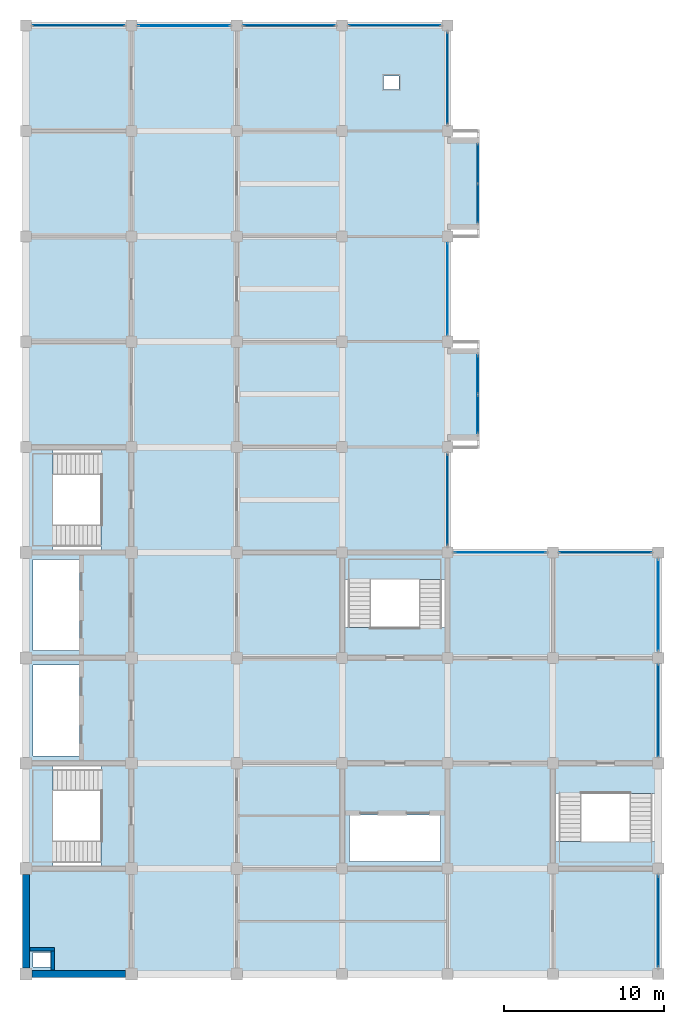
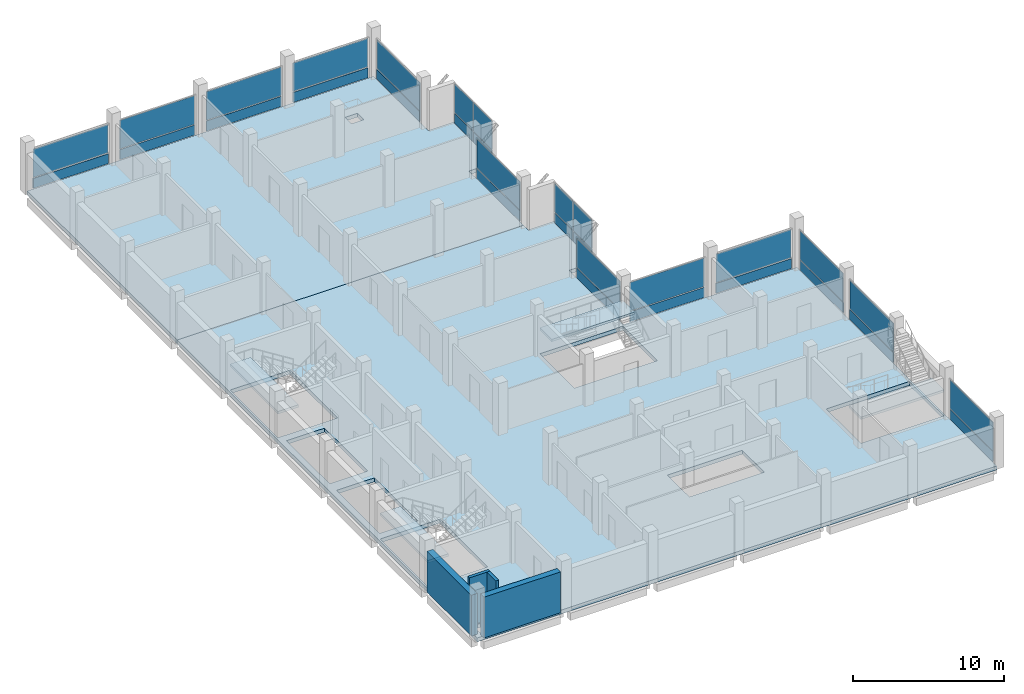
# One storey, part 6 of 10: 32 plates, 6 slabs, 4 walls, 18 elements without a shape of their own.
"""IFC4 building model written with IfcOpenShell, lengths in metres."""

from ifc_helpers import new_model, si_unit, direction, frame, frame_2d, origin, origin_2d, place, context, subcontext, project, spatial, polyline, rectangle, outline, extrude, material, layer, layer_set, type_object, element, aggregate, save


model = new_model("IFC4")

# Units and contexts
model_context = context("Model", 3, precision=1e-05, world=origin(), true_north=direction((0.0, 1.0)))
body_context = subcontext(model_context, "Body", "Model", "MODEL_VIEW")
ifc_project = project(units=[si_unit("LENGTHUNIT", "METRE"), si_unit("AREAUNIT", "SQUARE_METRE"), si_unit("VOLUMEUNIT", "CUBIC_METRE"), si_unit("PLANEANGLEUNIT", "RADIAN"), si_unit("MASSUNIT", "GRAM", prefix="KILO")], contexts=[model_context])

# Site, building, storey
site_placement = place(None, origin())
site = spatial("IfcSite", under=ifc_project, at=site_placement, CompositionType="ELEMENT")
building_placement = place(site_placement, origin())
building = spatial("IfcBuilding", under=site, at=building_placement, Name="Rusizi Kubbe Research Institute", CompositionType="ELEMENT")
storey_placement = place(building_placement, frame((0.0, 0.0, 48.0)))
storey = spatial("IfcBuildingStorey", under=building, at=storey_placement, Name="L11", CompositionType="ELEMENT", Elevation=48.0)

# Curtain wall, plate
ifc_material_1 = material(Name="Thermally Broken Aluminium and Low-E Glazing", Category="aluminium")
curtain_wall_type_1 = type_object("IfcCurtainWallType", Name="CW-12", PredefinedType="NOTDEFINED", material=ifc_material_1)
curtain_wall_1_placement = place(storey_placement, origin())
curtain_wall_1 = element("IfcCurtainWall", 1, at=curtain_wall_1_placement, inside=storey, type_object=curtain_wall_type_1, Name="Unitised Facade Curtain Wall CW-L11-V-04-06", PredefinedType="NOTDEFINED")
ifc_material_2 = material(Name="Double Low-E Solar Control Insulated Glass", Category="glass")
ifc_layer_1 = layer(ifc_material_2, 0.02392578125)
ifc_layer_set_1 = layer_set([ifc_layer_1], Name="Double Low-E Solar Control Insulated Glass")
plate_type_1 = type_object("IfcPlateType", Name="GL-01", PredefinedType="CURTAIN_PANEL", material=ifc_layer_set_1)
plate_1_placement = place(storey_placement, frame((26.39990234375, 42.89990234375, 0.93017578125), z_axis=(0.0, 0.0, 1.0), x_axis=(0.0, 1.0, 0.0)))
plate_1 = element("IfcPlate", 2, at=plate_1_placement, type_object=plate_type_1, Name="CW-12 panel 1.2", PredefinedType="CURTAIN_PANEL", context=body_context, shape_type="SweptSolid", body=[
    extrude(rectangle(XDim=5.719970703125, YDim=0.02392578125, at=origin_2d()), origin(), (0.0, 0.0, 1.0), 2.300048828125),
])

ifc_material_3 = material(Name="Thermally Broken Aluminium and Low-E Glazing", Category="aluminium")
curtain_wall_type_2 = type_object("IfcCurtainWallType", Name="CW-13", PredefinedType="NOTDEFINED", material=ifc_material_3)
curtain_wall_2_placement = place(storey_placement, origin())
curtain_wall_2 = element("IfcCurtainWall", 3, at=curtain_wall_2_placement, inside=storey, type_object=curtain_wall_type_2, Name="Unitised Facade Curtain Wall CW-L11-V-06-03", PredefinedType="NOTDEFINED")
plate_2_placement = place(storey_placement, frame((39.60009765625, 23.10009765625, 0.93017578125), z_axis=(0.0, 0.0, 1.0), x_axis=(0.0, 1.0, 0.0)))
plate_2 = element("IfcPlate", 4, at=plate_2_placement, type_object=plate_type_1, Name="CW-13 panel 1.2", PredefinedType="CURTAIN_PANEL", context=body_context, shape_type="SweptSolid", body=[
    extrude(rectangle(XDim=5.7099609375, YDim=0.02392578125, at=origin_2d()), origin(), (0.0, 0.0, 1.0), 2.300048828125),
])

# Curtain wall, plates
ifc_material_4 = material(Name="Thermally Broken Aluminium and Low-E Glazing", Category="aluminium")
curtain_wall_type_3 = type_object("IfcCurtainWallType", Name="CW-04", PredefinedType="NOTDEFINED", material=ifc_material_4)
curtain_wall_3_placement = place(storey_placement, origin())
curtain_wall_3 = element("IfcCurtainWall", 5, at=curtain_wall_3_placement, inside=storey, type_object=curtain_wall_type_3, Name="Cumba Glazed Curtain Wall CW-CUMBA-L11-121", PredefinedType="NOTDEFINED")
ifc_material_5 = material(Name="Double Low-E Solar Control Insulated Glass", Category="glass")
ifc_layer_2 = layer(ifc_material_5, 0.028076171875)
ifc_layer_set_2 = layer_set([ifc_layer_2], Name="Double Low-E Solar Control Insulated Glass")
plate_type_2 = type_object("IfcPlateType", Name="GL-02", PredefinedType="CURTAIN_PANEL", material=ifc_layer_set_2)
plate_3_placement = place(storey_placement, frame((28.300048828125, 48.25634765625, 0.93017578125), z_axis=(0.0, 0.0, 1.0), x_axis=(0.0, 1.0, 0.0)))
plate_3 = element("IfcPlate", 6, at=plate_3_placement, type_object=plate_type_2, Name="CW-04 panel 1.2", PredefinedType="CURTAIN_PANEL", context=body_context, shape_type="SweptSolid", body=[
    extrude(rectangle(XDim=2.427490234375, YDim=0.028076171875, at=origin_2d()), origin(), (0.0, 0.0, 1.0), 2.300048828125),
])
plate_4_placement = place(storey_placement, frame((28.300048828125, 50.74365234375, 0.93017578125), z_axis=(0.0, 0.0, 1.0), x_axis=(0.0, 1.0, 0.0)))
plate_4 = element("IfcPlate", 7, at=plate_4_placement, type_object=plate_type_2, Name="CW-04 panel 2.2", PredefinedType="CURTAIN_PANEL", context=body_context, shape_type="SweptSolid", body=[
    extrude(rectangle(XDim=2.427490234375, YDim=0.028076171875, at=origin_2d()), origin(), (0.0, 0.0, 1.0), 2.300048828125),
])

# Curtain wall, plate
curtain_wall_4_placement = place(storey_placement, origin())
curtain_wall_4 = element("IfcCurtainWall", 8, at=curtain_wall_4_placement, inside=storey, type_object=curtain_wall_type_2, Name="Unitised Facade Curtain Wall CW-L11-H-03-09", PredefinedType="NOTDEFINED")
ifc_material_6 = material(Name="Double Low-E Solar Control Insulated Glass", Category="glass")
ifc_layer_3 = layer(ifc_material_6, 0.031982421875)
ifc_layer_set_3 = layer_set([ifc_layer_3], Name="Double Low-E Solar Control Insulated Glass")
plate_type_3 = type_object("IfcPlateType", Name="GL-03", PredefinedType="CURTAIN_PANEL", material=ifc_layer_set_3)
plate_5_placement = place(storey_placement, frame((23.10009765625, 59.39990234375, 0.9326171875), z_axis=(0.0, 0.0, 1.0), x_axis=(1.0, 0.0, 0.0)))
plate_5 = element("IfcPlate", 9, at=plate_5_placement, type_object=plate_type_3, Name="CW-13 panel 1.2", PredefinedType="CURTAIN_PANEL", context=body_context, shape_type="SweptSolid", body=[
    extrude(rectangle(XDim=5.7099609375, YDim=0.031982421875, at=origin_2d()), origin(), (0.0, 0.0, 1.0), 2.29248046875),
])

curtain_wall_5_placement = place(storey_placement, origin())
curtain_wall_5 = element("IfcCurtainWall", 10, at=curtain_wall_5_placement, inside=storey, type_object=curtain_wall_type_1, Name="Unitised Facade Curtain Wall CW-L11-H-00-09", PredefinedType="NOTDEFINED")
ifc_material_7 = material(Name="Double Low-E Solar Control Insulated Glass", Category="glass")
ifc_layer_4 = layer(ifc_material_7, 0.035888671875)
ifc_layer_set_4 = layer_set([ifc_layer_4], Name="Double Low-E Solar Control Insulated Glass")
plate_type_4 = type_object("IfcPlateType", Name="GL-04", PredefinedType="CURTAIN_PANEL", material=ifc_layer_set_4)
plate_6_placement = place(storey_placement, frame((3.300048828125, 59.39990234375, 0.93505859375), z_axis=(0.0, 0.0, 1.0), x_axis=(1.0, 0.0, 0.0)))
plate_6 = element("IfcPlate", 11, at=plate_6_placement, type_object=plate_type_4, Name="CW-12 panel 1.2", PredefinedType="CURTAIN_PANEL", context=body_context, shape_type="SweptSolid", body=[
    extrude(rectangle(XDim=5.719970703125, YDim=0.035888671875, at=origin_2d()), origin(), (0.0, 0.0, 1.0), 2.284912109375),
])

curtain_wall_6_placement = place(storey_placement, origin())
curtain_wall_6 = element("IfcCurtainWall", 12, at=curtain_wall_6_placement, inside=storey, type_object=curtain_wall_type_1, Name="Unitised Facade Curtain Wall CW-L11-V-04-08", PredefinedType="NOTDEFINED")
plate_7_placement = place(storey_placement, frame((26.39990234375, 56.10009765625, 0.93505859375), z_axis=(0.0, 0.0, 1.0), x_axis=(0.0, 1.0, 0.0)))
plate_7 = element("IfcPlate", 13, at=plate_7_placement, type_object=plate_type_4, Name="CW-12 panel 1.2", PredefinedType="CURTAIN_PANEL", context=body_context, shape_type="SweptSolid", body=[
    extrude(rectangle(XDim=5.699951171875, YDim=0.035888671875, at=origin_2d()), origin(), (0.0, 0.0, 1.0), 2.284912109375),
])

curtain_wall_7_placement = place(storey_placement, origin())
curtain_wall_7 = element("IfcCurtainWall", 14, at=curtain_wall_7_placement, inside=storey, type_object=curtain_wall_type_2, Name="Unitised Facade Curtain Wall CW-L11-H-01-09", PredefinedType="NOTDEFINED")
ifc_material_8 = material(Name="Double Low-E Solar Control Insulated Glass", Category="glass")
ifc_layer_5 = layer(ifc_material_8, 0.0400390625)
ifc_layer_set_5 = layer_set([ifc_layer_5], Name="Double Low-E Solar Control Insulated Glass")
plate_type_5 = type_object("IfcPlateType", Name="GL-05", PredefinedType="CURTAIN_PANEL", material=ifc_layer_set_5)
plate_8_placement = place(storey_placement, frame((9.89990234375, 59.39990234375, 0.93017578125), z_axis=(0.0, 0.0, 1.0), x_axis=(1.0, 0.0, 0.0)))
plate_8 = element("IfcPlate", 15, at=plate_8_placement, type_object=plate_type_5, Name="CW-13 panel 1.2", PredefinedType="CURTAIN_PANEL", context=body_context, shape_type="SweptSolid", body=[
    extrude(rectangle(XDim=5.7099609375, YDim=0.0400390625, at=origin_2d()), origin(), (0.0, 0.0, 1.0), 2.300048828125),
])

curtain_wall_8_placement = place(storey_placement, origin())
curtain_wall_8 = element("IfcCurtainWall", 16, at=curtain_wall_8_placement, inside=storey, type_object=curtain_wall_type_2, Name="Unitised Facade Curtain Wall CW-L11-H-04-04", PredefinedType="NOTDEFINED")
plate_9_placement = place(storey_placement, frame((29.699951171875, 26.39990234375, 0.93017578125), z_axis=(0.0, 0.0, 1.0), x_axis=(1.0, 0.0, 0.0)))
plate_9 = element("IfcPlate", 17, at=plate_9_placement, type_object=plate_type_5, Name="CW-13 panel 1.2", PredefinedType="CURTAIN_PANEL", context=body_context, shape_type="SweptSolid", body=[
    extrude(rectangle(XDim=5.68994140625, YDim=0.0400390625, at=origin_2d()), origin(), (0.0, 0.0, 1.0), 2.300048828125),
])

curtain_wall_9_placement = place(storey_placement, origin())
curtain_wall_9 = element("IfcCurtainWall", 18, at=curtain_wall_9_placement, inside=storey, type_object=curtain_wall_type_1, Name="Unitised Facade Curtain Wall CW-L11-H-02-09", PredefinedType="NOTDEFINED")
ifc_material_9 = material(Name="Double Low-E Solar Control Insulated Glass", Category="glass")
ifc_layer_6 = layer(ifc_material_9, 0.0439453125)
ifc_layer_set_6 = layer_set([ifc_layer_6], Name="Double Low-E Solar Control Insulated Glass")
plate_type_6 = type_object("IfcPlateType", Name="GL-06", PredefinedType="CURTAIN_PANEL", material=ifc_layer_set_6)
plate_10_placement = place(storey_placement, frame((16.5, 59.39990234375, 0.93017578125), z_axis=(0.0, 0.0, 1.0), x_axis=(1.0, 0.0, 0.0)))
plate_10 = element("IfcPlate", 19, at=plate_10_placement, type_object=plate_type_6, Name="CW-12 panel 1.2", PredefinedType="CURTAIN_PANEL", context=body_context, shape_type="SweptSolid", body=[
    extrude(rectangle(XDim=5.699951171875, YDim=0.0439453125, at=origin_2d()), origin(), (0.0, 0.0, 1.0), 2.300048828125),
])

curtain_wall_10_placement = place(storey_placement, origin())
curtain_wall_10 = element("IfcCurtainWall", 20, at=curtain_wall_10_placement, inside=storey, type_object=curtain_wall_type_1, Name="Unitised Facade Curtain Wall CW-L11-V-06-00", PredefinedType="NOTDEFINED")
plate_11_placement = place(storey_placement, frame((39.60009765625, 3.300048828125, 0.93017578125), z_axis=(0.0, 0.0, 1.0), x_axis=(0.0, 1.0, 0.0)))
plate_11 = element("IfcPlate", 21, at=plate_11_placement, type_object=plate_type_6, Name="CW-12 panel 1.2", PredefinedType="CURTAIN_PANEL", context=body_context, shape_type="SweptSolid", body=[
    extrude(rectangle(XDim=5.679931640625, YDim=0.0439453125, at=origin_2d()), origin(), (0.0, 0.0, 1.0), 2.300048828125),
])

curtain_wall_11_placement = place(storey_placement, origin())
curtain_wall_11 = element("IfcCurtainWall", 22, at=curtain_wall_11_placement, inside=storey, type_object=curtain_wall_type_2, Name="Unitised Facade Curtain Wall CW-L11-V-04-04", PredefinedType="NOTDEFINED")
ifc_material_10 = material(Name="Double Low-E Solar Control Insulated Glass", Category="glass")
ifc_layer_7 = layer(ifc_material_10, 0.048095703125)
ifc_layer_set_7 = layer_set([ifc_layer_7], Name="Double Low-E Solar Control Insulated Glass")
plate_type_7 = type_object("IfcPlateType", Name="GL-07", PredefinedType="CURTAIN_PANEL", material=ifc_layer_set_7)
plate_12_placement = place(storey_placement, frame((26.39990234375, 29.699951171875, 0.9326171875), z_axis=(0.0, 0.0, 1.0), x_axis=(0.0, 1.0, 0.0)))
plate_12 = element("IfcPlate", 23, at=plate_12_placement, type_object=plate_type_7, Name="CW-13 panel 1.2", PredefinedType="CURTAIN_PANEL", context=body_context, shape_type="SweptSolid", body=[
    extrude(rectangle(XDim=5.68994140625, YDim=0.048095703125, at=origin_2d()), origin(), (0.0, 0.0, 1.0), 2.29248046875),
])

curtain_wall_12_placement = place(storey_placement, origin())
curtain_wall_12 = element("IfcCurtainWall", 24, at=curtain_wall_12_placement, inside=storey, type_object=curtain_wall_type_2, Name="Unitised Facade Curtain Wall CW-L11-V-06-02", PredefinedType="NOTDEFINED")
plate_13_placement = place(storey_placement, frame((39.60009765625, 16.5, 0.9326171875), z_axis=(0.0, 0.0, 1.0), x_axis=(0.0, 1.0, 0.0)))
plate_13 = element("IfcPlate", 25, at=plate_13_placement, type_object=plate_type_7, Name="CW-13 panel 1.2", PredefinedType="CURTAIN_PANEL", context=body_context, shape_type="SweptSolid", body=[
    extrude(rectangle(XDim=5.719970703125, YDim=0.048095703125, at=origin_2d()), origin(), (0.0, 0.0, 1.0), 2.29248046875),
])

# Curtain wall, plates
curtain_wall_13_placement = place(storey_placement, origin())
curtain_wall_13 = element("IfcCurtainWall", 26, at=curtain_wall_13_placement, inside=storey, type_object=curtain_wall_type_3, Name="Cumba Glazed Curtain Wall CW-CUMBA-L11-119", PredefinedType="NOTDEFINED")
ifc_material_11 = material(Name="Double Low-E Solar Control Insulated Glass", Category="glass")
ifc_layer_8 = layer(ifc_material_11, 0.052001953125)
ifc_layer_set_8 = layer_set([ifc_layer_8], Name="Double Low-E Solar Control Insulated Glass")
plate_type_8 = type_object("IfcPlateType", Name="GL-08", PredefinedType="CURTAIN_PANEL", material=ifc_layer_set_8)
plate_14_placement = place(storey_placement, frame((28.300048828125, 35.061279296875, 0.93505859375), z_axis=(0.0, 0.0, 1.0), x_axis=(0.0, 1.0, 0.0)))
plate_14 = element("IfcPlate", 27, at=plate_14_placement, type_object=plate_type_8, Name="CW-04 panel 1.2", PredefinedType="CURTAIN_PANEL", context=body_context, shape_type="SweptSolid", body=[
    extrude(rectangle(XDim=2.3974609375, YDim=0.052001953125, at=origin_2d()), origin(), (0.0, 0.0, 1.0), 2.284912109375),
])
plate_15_placement = place(storey_placement, frame((28.300048828125, 37.538818359375, 0.93505859375), z_axis=(0.0, 0.0, 1.0), x_axis=(0.0, 1.0, 0.0)))
plate_15 = element("IfcPlate", 28, at=plate_15_placement, type_object=plate_type_8, Name="CW-04 panel 2.2", PredefinedType="CURTAIN_PANEL", context=body_context, shape_type="SweptSolid", body=[
    extrude(rectangle(XDim=2.3974609375, YDim=0.052001953125, at=origin_2d()), origin(), (0.0, 0.0, 1.0), 2.284912109375),
])

# Curtain wall, plate
curtain_wall_14_placement = place(storey_placement, origin())
curtain_wall_14 = element("IfcCurtainWall", 29, at=curtain_wall_14_placement, inside=storey, type_object=curtain_wall_type_1, Name="Unitised Facade Curtain Wall CW-L11-H-05-04", PredefinedType="NOTDEFINED")
plate_16_placement = place(storey_placement, frame((36.300048828125, 26.39990234375, 0.93505859375), z_axis=(0.0, 0.0, 1.0), x_axis=(1.0, 0.0, 0.0)))
plate_16 = element("IfcPlate", 30, at=plate_16_placement, type_object=plate_type_8, Name="CW-12 panel 1.2", PredefinedType="CURTAIN_PANEL", context=body_context, shape_type="SweptSolid", body=[
    extrude(rectangle(XDim=5.719970703125, YDim=0.052001953125, at=origin_2d()), origin(), (0.0, 0.0, 1.0), 2.284912109375),
])

# Slabs
ifc_material_12 = material(Name="Concrete C40/50", Category="concrete")
ifc_layer_9 = layer(ifc_material_12, 0.31005859375)
ifc_layer_set_9 = layer_set([ifc_layer_9], Name="Concrete C40/50")
slab_type_1 = type_object("IfcSlabType", Name="SL-F310", PredefinedType="FLOOR", material=ifc_layer_set_9)
slab_1_placement = place(storey_placement, frame((0.0, 0.0, -0.31005859375)))
element("IfcSlab", 31, at=slab_1_placement, inside=storey, type_object=slab_type_1, Name="Structural Slab L11 CORE", PredefinedType="FLOOR", context=body_context, shape_type="SweptSolid", body=[
    extrude(outline(polyline([(0.0, 39.60009765625), (6.60009765625, 39.60009765625), (13.199951171875, 39.60009765625), (19.800048828125, 39.60009765625), (26.39990234375, 39.60009765625), (26.39990234375, 39.0), (28.39990234375, 39.0), (28.39990234375, 33.60009765625), (26.39990234375, 33.60009765625), (26.39990234375, 33.0), (26.39990234375, 26.39990234375), (33.0, 26.39990234375), (39.60009765625, 26.39990234375), (39.60009765625, 19.800048828125), (39.60009765625, 13.199951171875), (39.60009765625, 6.60009765625), (39.60009765625, 0.0), (33.0, 0.0), (26.39990234375, 0.0), (19.800048828125, 0.0), (13.199951171875, 0.0), (6.60009765625, 0.0), (0.0, 0.0), (0.0, 6.60009765625), (0.0, 13.199951171875), (0.0, 19.800048828125), (0.0, 26.39990234375), (0.0, 33.0), (0.0, 39.60009765625)]), holes=[polyline([(0.449951171875, 1.35009765625), (0.449951171875, 0.449951171875), (1.550048828125, 0.449951171875), (1.550048828125, 1.35009765625), (0.449951171875, 1.35009765625)]), polyline([(20.25, 9.949951171875), (20.25, 7.050048828125), (25.949951171875, 7.050048828125), (25.949951171875, 9.949951171875), (20.25, 9.949951171875)]), polyline([(33.139892578125, 11.300048828125), (33.139892578125, 6.739990234375), (39.4599609375, 6.739990234375), (39.4599609375, 11.300048828125), (33.139892578125, 11.300048828125)]), polyline([(0.139892578125, 13.06005859375), (0.139892578125, 6.739990234375), (4.699951171875, 6.739990234375), (4.699951171875, 13.06005859375), (0.139892578125, 13.06005859375)]), polyline([(0.449951171875, 19.35009765625), (0.449951171875, 13.64990234375), (3.35009765625, 13.64990234375), (3.35009765625, 19.35009765625), (0.449951171875, 19.35009765625)]), polyline([(0.449951171875, 25.949951171875), (0.449951171875, 20.25), (3.35009765625, 20.25), (3.35009765625, 25.949951171875), (0.449951171875, 25.949951171875)]), polyline([(19.93994140625, 26.260009765625), (19.93994140625, 21.699951171875), (26.260009765625, 21.699951171875), (26.260009765625, 26.260009765625), (19.93994140625, 26.260009765625)]), polyline([(0.139892578125, 32.860107421875), (0.139892578125, 26.5400390625), (4.699951171875, 26.5400390625), (4.699951171875, 32.860107421875), (0.139892578125, 32.860107421875)])]), origin(), (0.0, 0.0, 1.0), 0.31005859375),
])
slab_2_placement = place(storey_placement, frame((0.0, 0.0, -0.31005859375)))
element("IfcSlab", 32, at=slab_2_placement, inside=storey, type_object=slab_type_1, Name="Structural Slab L11 NORTHA", PredefinedType="FLOOR", context=body_context, shape_type="SweptSolid", body=[
    extrude(outline(polyline([(6.60009765625, 59.39990234375), (13.199951171875, 59.39990234375), (19.800048828125, 59.39990234375), (26.39990234375, 59.39990234375), (26.39990234375, 52.800048828125), (26.39990234375, 52.199951171875), (28.39990234375, 52.199951171875), (28.39990234375, 46.800048828125), (26.39990234375, 46.800048828125), (26.39990234375, 46.199951171875), (26.39990234375, 39.60009765625), (19.800048828125, 39.60009765625), (13.199951171875, 39.60009765625), (6.60009765625, 39.60009765625), (0.0, 39.60009765625), (0.0, 46.199951171875), (0.0, 52.800048828125), (0.0, 59.39990234375), (6.60009765625, 59.39990234375)]), holes=[polyline([(23.35009765625, 56.25), (22.39990234375, 56.25), (22.39990234375, 55.39990234375), (23.35009765625, 55.39990234375), (23.35009765625, 56.25)])]), origin(), (0.0, 0.0, 1.0), 0.31005859375),
])

# Stair, slab
ifc_material_13 = material(Name="Concrete C40/50", Category="concrete")
stair_type_1 = type_object("IfcStairType", Name="ST-H420A", PredefinedType="HALF_TURN_STAIR", material=ifc_material_13)
stair_1_placement = place(storey_placement, origin())
stair_1 = element("IfcStair", 33, at=stair_1_placement, inside=storey, type_object=stair_type_1, Name="Protected Exit Stair ST1 (L11)", PredefinedType="HALF_TURN_STAIR")
ifc_material_14 = material(Name="Concrete C40/50", Category="concrete")
ifc_layer_10 = layer(ifc_material_14, 0.195068359375)
ifc_layer_set_10 = layer_set([ifc_layer_10], Name="Concrete C40/50")
slab_type_2 = type_object("IfcSlabType", Name="SL-L195", PredefinedType="LANDING", material=ifc_layer_set_10)
slab_3_placement = place(storey_placement, frame((0.0, 0.0, 1.905029296875)))
slab_3 = element("IfcSlab", 34, at=slab_3_placement, type_object=slab_type_2, Name="ST1 landing 1", PredefinedType="LANDING", context=body_context, shape_type="SweptSolid", body=[
    extrude(outline(polyline([(1.7060546875, 13.06005859375), (0.139892578125, 13.06005859375), (0.139892578125, 6.739990234375), (1.7060546875, 6.739990234375), (1.7060546875, 13.06005859375)])), origin(), (0.0, 0.0, 1.0), 0.195068359375),
])
aggregate(stair_1, [slab_3])

stair_2_placement = place(storey_placement, origin())
stair_2 = element("IfcStair", 35, at=stair_2_placement, inside=storey, type_object=stair_type_1, Name="Protected Exit Stair ST2 (L11)", PredefinedType="HALF_TURN_STAIR")
slab_4_placement = place(storey_placement, frame((0.0, 0.0, 1.905029296875)))
slab_4 = element("IfcSlab", 36, at=slab_4_placement, type_object=slab_type_2, Name="ST2 landing 1", PredefinedType="LANDING", context=body_context, shape_type="SweptSolid", body=[
    extrude(outline(polyline([(1.7060546875, 32.860107421875), (0.139892578125, 32.860107421875), (0.139892578125, 26.5400390625), (1.7060546875, 26.5400390625), (1.7060546875, 32.860107421875)])), origin(), (0.0, 0.0, 1.0), 0.195068359375),
])
aggregate(stair_2, [slab_4])

ifc_material_15 = material(Name="Concrete C40/50", Category="concrete")
stair_type_2 = type_object("IfcStairType", Name="ST-H420B", PredefinedType="HALF_TURN_STAIR", material=ifc_material_15)
stair_3_placement = place(storey_placement, origin())
stair_3 = element("IfcStair", 37, at=stair_3_placement, inside=storey, type_object=stair_type_2, Name="Protected Exit Stair ST3 (L11)", PredefinedType="HALF_TURN_STAIR")
slab_5_placement = place(storey_placement, frame((0.0, 0.0, 1.905029296875)))
slab_5 = element("IfcSlab", 38, at=slab_5_placement, type_object=slab_type_2, Name="ST3 landing 1", PredefinedType="LANDING", context=body_context, shape_type="SweptSolid", body=[
    extrude(outline(polyline([(26.260009765625, 24.694091796875), (26.260009765625, 26.260009765625), (19.93994140625, 26.260009765625), (19.93994140625, 24.694091796875), (26.260009765625, 24.694091796875)])), origin(), (0.0, 0.0, 1.0), 0.195068359375),
])
aggregate(stair_3, [slab_5])

stair_4_placement = place(storey_placement, origin())
stair_4 = element("IfcStair", 39, at=stair_4_placement, inside=storey, type_object=stair_type_2, Name="Protected Exit Stair ST4 (L11)", PredefinedType="HALF_TURN_STAIR")
slab_6_placement = place(storey_placement, frame((0.0, 0.0, 1.905029296875)))
slab_6 = element("IfcSlab", 40, at=slab_6_placement, type_object=slab_type_2, Name="ST4 landing 1", PredefinedType="LANDING", context=body_context, shape_type="SweptSolid", body=[
    extrude(outline(polyline([(33.139892578125, 8.305908203125), (33.139892578125, 6.739990234375), (39.4599609375, 6.739990234375), (39.4599609375, 8.305908203125), (33.139892578125, 8.305908203125)])), origin(), (0.0, 0.0, 1.0), 0.195068359375),
])
aggregate(stair_4, [slab_6])

# Plate
ifc_material_16 = material(Name="Ceramic-Frit Insulated Spandrel Panel", Category="glass")
ifc_layer_11 = layer(ifc_material_16, 0.05810546875)
ifc_layer_set_11 = layer_set([ifc_layer_11], Name="Ceramic-Frit Insulated Spandrel Panel")
plate_type_9 = type_object("IfcPlateType", Name="SP-01", PredefinedType="CURTAIN_PANEL", material=ifc_layer_set_11)
plate_17_placement = place(storey_placement, frame((9.89990234375, 59.39990234375, 0.06005859375), z_axis=(0.0, 0.0, 1.0), x_axis=(1.0, 0.0, 0.0)))
plate_17 = element("IfcPlate", 41, at=plate_17_placement, type_object=plate_type_9, Name="CW-13 panel 1.1", PredefinedType="CURTAIN_PANEL", context=body_context, shape_type="SweptSolid", body=[
    extrude(rectangle(XDim=5.7099609375, YDim=0.05810546875, at=origin_2d()), origin(), (0.0, 0.0, 1.0), 0.81005859375),
])

aggregate(curtain_wall_7, [plate_17, plate_8])

plate_18_placement = place(storey_placement, frame((26.39990234375, 42.89990234375, 0.06005859375), z_axis=(0.0, 0.0, 1.0), x_axis=(0.0, 1.0, 0.0)))
plate_18 = element("IfcPlate", 42, at=plate_18_placement, type_object=plate_type_9, Name="CW-12 panel 1.1", PredefinedType="CURTAIN_PANEL", context=body_context, shape_type="SweptSolid", body=[
    extrude(rectangle(XDim=5.719970703125, YDim=0.05810546875, at=origin_2d()), origin(), (0.0, 0.0, 1.0), 0.81005859375),
])

aggregate(curtain_wall_1, [plate_18, plate_1])

plate_19_placement = place(storey_placement, frame((29.699951171875, 26.39990234375, 0.06005859375), z_axis=(0.0, 0.0, 1.0), x_axis=(1.0, 0.0, 0.0)))
plate_19 = element("IfcPlate", 43, at=plate_19_placement, type_object=plate_type_9, Name="CW-13 panel 1.1", PredefinedType="CURTAIN_PANEL", context=body_context, shape_type="SweptSolid", body=[
    extrude(rectangle(XDim=5.68994140625, YDim=0.05810546875, at=origin_2d()), origin(), (0.0, 0.0, 1.0), 0.81005859375),
])

aggregate(curtain_wall_8, [plate_19, plate_9])

plate_20_placement = place(storey_placement, frame((39.60009765625, 23.10009765625, 0.06005859375), z_axis=(0.0, 0.0, 1.0), x_axis=(0.0, 1.0, 0.0)))
plate_20 = element("IfcPlate", 44, at=plate_20_placement, type_object=plate_type_9, Name="CW-13 panel 1.1", PredefinedType="CURTAIN_PANEL", context=body_context, shape_type="SweptSolid", body=[
    extrude(rectangle(XDim=5.7099609375, YDim=0.05810546875, at=origin_2d()), origin(), (0.0, 0.0, 1.0), 0.81005859375),
])

aggregate(curtain_wall_2, [plate_20, plate_2])

ifc_material_17 = material(Name="Ceramic-Frit Insulated Spandrel Panel", Category="glass")
ifc_layer_12 = layer(ifc_material_17, 0.06396484375)
ifc_layer_set_12 = layer_set([ifc_layer_12], Name="Ceramic-Frit Insulated Spandrel Panel")
plate_type_10 = type_object("IfcPlateType", Name="SP-02", PredefinedType="CURTAIN_PANEL", material=ifc_layer_set_12)
plate_21_placement = place(storey_placement, frame((16.5, 59.39990234375, 0.06005859375), z_axis=(0.0, 0.0, 1.0), x_axis=(1.0, 0.0, 0.0)))
plate_21 = element("IfcPlate", 45, at=plate_21_placement, type_object=plate_type_10, Name="CW-12 panel 1.1", PredefinedType="CURTAIN_PANEL", context=body_context, shape_type="SweptSolid", body=[
    extrude(rectangle(XDim=5.699951171875, YDim=0.06396484375, at=origin_2d()), origin(), (0.0, 0.0, 1.0), 0.81005859375),
])

aggregate(curtain_wall_9, [plate_21, plate_10])

plate_22_placement = place(storey_placement, frame((28.300048828125, 48.25634765625, 0.06005859375), z_axis=(0.0, 0.0, 1.0), x_axis=(0.0, 1.0, 0.0)))
plate_22 = element("IfcPlate", 46, at=plate_22_placement, type_object=plate_type_10, Name="CW-04 panel 1.1", PredefinedType="CURTAIN_PANEL", context=body_context, shape_type="SweptSolid", body=[
    extrude(rectangle(XDim=2.427490234375, YDim=0.06396484375, at=origin_2d()), origin(), (0.0, 0.0, 1.0), 0.81005859375),
])

plate_23_placement = place(storey_placement, frame((28.300048828125, 50.74365234375, 0.06005859375), z_axis=(0.0, 0.0, 1.0), x_axis=(0.0, 1.0, 0.0)))
plate_23 = element("IfcPlate", 47, at=plate_23_placement, type_object=plate_type_10, Name="CW-04 panel 2.1", PredefinedType="CURTAIN_PANEL", context=body_context, shape_type="SweptSolid", body=[
    extrude(rectangle(XDim=2.427490234375, YDim=0.06396484375, at=origin_2d()), origin(), (0.0, 0.0, 1.0), 0.81005859375),
])

aggregate(curtain_wall_3, [plate_22, plate_3, plate_23, plate_4])

plate_24_placement = place(storey_placement, frame((39.60009765625, 3.300048828125, 0.06005859375), z_axis=(0.0, 0.0, 1.0), x_axis=(0.0, 1.0, 0.0)))
plate_24 = element("IfcPlate", 48, at=plate_24_placement, type_object=plate_type_10, Name="CW-12 panel 1.1", PredefinedType="CURTAIN_PANEL", context=body_context, shape_type="SweptSolid", body=[
    extrude(rectangle(XDim=5.679931640625, YDim=0.06396484375, at=origin_2d()), origin(), (0.0, 0.0, 1.0), 0.81005859375),
])

aggregate(curtain_wall_10, [plate_24, plate_11])

ifc_material_18 = material(Name="Ceramic-Frit Insulated Spandrel Panel", Category="glass")
ifc_layer_13 = layer(ifc_material_18, 0.070068359375)
ifc_layer_set_13 = layer_set([ifc_layer_13], Name="Ceramic-Frit Insulated Spandrel Panel")
plate_type_11 = type_object("IfcPlateType", Name="SP-03", PredefinedType="CURTAIN_PANEL", material=ifc_layer_set_13)
plate_25_placement = place(storey_placement, frame((26.39990234375, 29.699951171875, 0.06494140625), z_axis=(0.0, 0.0, 1.0), x_axis=(0.0, 1.0, 0.0)))
plate_25 = element("IfcPlate", 49, at=plate_25_placement, type_object=plate_type_11, Name="CW-13 panel 1.1", PredefinedType="CURTAIN_PANEL", context=body_context, shape_type="SweptSolid", body=[
    extrude(rectangle(XDim=5.68994140625, YDim=0.070068359375, at=origin_2d()), origin(), (0.0, 0.0, 1.0), 0.802490234375),
])

aggregate(curtain_wall_11, [plate_25, plate_12])

plate_26_placement = place(storey_placement, frame((23.10009765625, 59.39990234375, 0.06494140625), z_axis=(0.0, 0.0, 1.0), x_axis=(1.0, 0.0, 0.0)))
plate_26 = element("IfcPlate", 50, at=plate_26_placement, type_object=plate_type_11, Name="CW-13 panel 1.1", PredefinedType="CURTAIN_PANEL", context=body_context, shape_type="SweptSolid", body=[
    extrude(rectangle(XDim=5.7099609375, YDim=0.070068359375, at=origin_2d()), origin(), (0.0, 0.0, 1.0), 0.802490234375),
])

aggregate(curtain_wall_4, [plate_26, plate_5])

plate_27_placement = place(storey_placement, frame((39.60009765625, 16.5, 0.06494140625), z_axis=(0.0, 0.0, 1.0), x_axis=(0.0, 1.0, 0.0)))
plate_27 = element("IfcPlate", 51, at=plate_27_placement, type_object=plate_type_11, Name="CW-13 panel 1.1", PredefinedType="CURTAIN_PANEL", context=body_context, shape_type="SweptSolid", body=[
    extrude(rectangle(XDim=5.719970703125, YDim=0.070068359375, at=origin_2d()), origin(), (0.0, 0.0, 1.0), 0.802490234375),
])

aggregate(curtain_wall_12, [plate_27, plate_13])

ifc_material_19 = material(Name="Ceramic-Frit Insulated Spandrel Panel", Category="glass")
ifc_layer_14 = layer(ifc_material_19, 0.075927734375)
ifc_layer_set_14 = layer_set([ifc_layer_14], Name="Ceramic-Frit Insulated Spandrel Panel")
plate_type_12 = type_object("IfcPlateType", Name="SP-04", PredefinedType="CURTAIN_PANEL", material=ifc_layer_set_14)
plate_28_placement = place(storey_placement, frame((3.300048828125, 59.39990234375, 0.070068359375), z_axis=(0.0, 0.0, 1.0), x_axis=(1.0, 0.0, 0.0)))
plate_28 = element("IfcPlate", 52, at=plate_28_placement, type_object=plate_type_12, Name="CW-12 panel 1.1", PredefinedType="CURTAIN_PANEL", context=body_context, shape_type="SweptSolid", body=[
    extrude(rectangle(XDim=5.719970703125, YDim=0.075927734375, at=origin_2d()), origin(), (0.0, 0.0, 1.0), 0.794921875),
])

aggregate(curtain_wall_5, [plate_28, plate_6])

plate_29_placement = place(storey_placement, frame((28.300048828125, 35.061279296875, 0.070068359375), z_axis=(0.0, 0.0, 1.0), x_axis=(0.0, 1.0, 0.0)))
plate_29 = element("IfcPlate", 53, at=plate_29_placement, type_object=plate_type_12, Name="CW-04 panel 1.1", PredefinedType="CURTAIN_PANEL", context=body_context, shape_type="SweptSolid", body=[
    extrude(rectangle(XDim=2.3974609375, YDim=0.075927734375, at=origin_2d()), origin(), (0.0, 0.0, 1.0), 0.794921875),
])

plate_30_placement = place(storey_placement, frame((28.300048828125, 37.538818359375, 0.070068359375), z_axis=(0.0, 0.0, 1.0), x_axis=(0.0, 1.0, 0.0)))
plate_30 = element("IfcPlate", 54, at=plate_30_placement, type_object=plate_type_12, Name="CW-04 panel 2.1", PredefinedType="CURTAIN_PANEL", context=body_context, shape_type="SweptSolid", body=[
    extrude(rectangle(XDim=2.3974609375, YDim=0.075927734375, at=origin_2d()), origin(), (0.0, 0.0, 1.0), 0.794921875),
])

aggregate(curtain_wall_13, [plate_29, plate_14, plate_30, plate_15])

plate_31_placement = place(storey_placement, frame((26.39990234375, 56.10009765625, 0.070068359375), z_axis=(0.0, 0.0, 1.0), x_axis=(0.0, 1.0, 0.0)))
plate_31 = element("IfcPlate", 55, at=plate_31_placement, type_object=plate_type_12, Name="CW-12 panel 1.1", PredefinedType="CURTAIN_PANEL", context=body_context, shape_type="SweptSolid", body=[
    extrude(rectangle(XDim=5.699951171875, YDim=0.075927734375, at=origin_2d()), origin(), (0.0, 0.0, 1.0), 0.794921875),
])

aggregate(curtain_wall_6, [plate_31, plate_7])

plate_32_placement = place(storey_placement, frame((36.300048828125, 26.39990234375, 0.070068359375), z_axis=(0.0, 0.0, 1.0), x_axis=(1.0, 0.0, 0.0)))
plate_32 = element("IfcPlate", 56, at=plate_32_placement, type_object=plate_type_12, Name="CW-12 panel 1.1", PredefinedType="CURTAIN_PANEL", context=body_context, shape_type="SweptSolid", body=[
    extrude(rectangle(XDim=5.719970703125, YDim=0.075927734375, at=origin_2d()), origin(), (0.0, 0.0, 1.0), 0.794921875),
])

aggregate(curtain_wall_14, [plate_32, plate_16])

# Walls
ifc_material_20 = material(Name="Concrete Blockwork Fire Partition", Category="masonry")
ifc_layer_15 = layer(ifc_material_20, 0.22509765625)
ifc_layer_set_15 = layer_set([ifc_layer_15], Name="Concrete Blockwork Fire Partition")
wall_type_1 = type_object("IfcWallType", Name="IW-01", PredefinedType="PARTITIONING", material=ifc_layer_set_15)
wall_1_placement = place(storey_placement, frame((1.679931640625, 0.260009765625, 0.0), z_axis=(0.0, 0.0, 1.0), x_axis=(0.0, 1.0, 0.0)))
element("IfcWall", 57, at=wall_1_placement, inside=storey, type_object=wall_type_1, Name="Riser Shaft Wall E L11", PredefinedType="PARTITIONING", context=body_context, shape_type="SweptSolid", body=[
    extrude(rectangle(XDim=1.169921875, YDim=0.22509765625, at=frame_2d((0.5849609375, 0.0))), origin(), (0.0, 0.0, 1.0), 3.889892578125),
])
wall_2_placement = place(storey_placement, frame((0.260009765625, 1.550048828125, 0.0), z_axis=(0.0, 0.0, 1.0), x_axis=(1.0, 0.0, 0.0)))
element("IfcWall", 58, at=wall_2_placement, inside=storey, type_object=wall_type_1, Name="Riser Shaft Wall N L11", PredefinedType="PARTITIONING", context=body_context, shape_type="SweptSolid", body=[
    extrude(rectangle(XDim=1.5400390625, YDim=0.22509765625, at=frame_2d((0.77001953125, 0.0))), origin(), (0.0, 0.0, 1.0), 3.889892578125),
])
ifc_material_21 = material(Name="Concrete C40/50", Category="concrete")
ifc_layer_16 = layer(ifc_material_21, 0.4599609375)
ifc_layer_set_16 = layer_set([ifc_layer_16], Name="Concrete C40/50")
wall_type_2 = type_object("IfcWallType", Name="PW-02", PredefinedType="SOLIDWALL", material=ifc_layer_set_16)
for number, where, z_axis, x_axis, name in (
    (59, (0.375, 0.0, 0.0), (0.0, 0.0, 1.0), (1.0, 0.0, 0.0), "Blind Party Wall L11 H0-0"),
    (60, (0.0, 0.375, 0.0), (0.0, 0.0, 1.0), (0.0, 1.0, 0.0), "Blind Party Wall L11 V0-0"),
):
    element("IfcWall", number, at=place(storey_placement, frame(where, z_axis=z_axis, x_axis=x_axis)), inside=storey, type_object=wall_type_2, Name=name, PredefinedType="SOLIDWALL", context=body_context, shape_type="SweptSolid", body=[
        extrude(rectangle(XDim=5.85009765625, YDim=0.4599609375, at=frame_2d((2.925048828125, 0.0))), origin(), (0.0, 0.0, 1.0), 3.2900390625),
    ])

save(model, "model.ifc")
